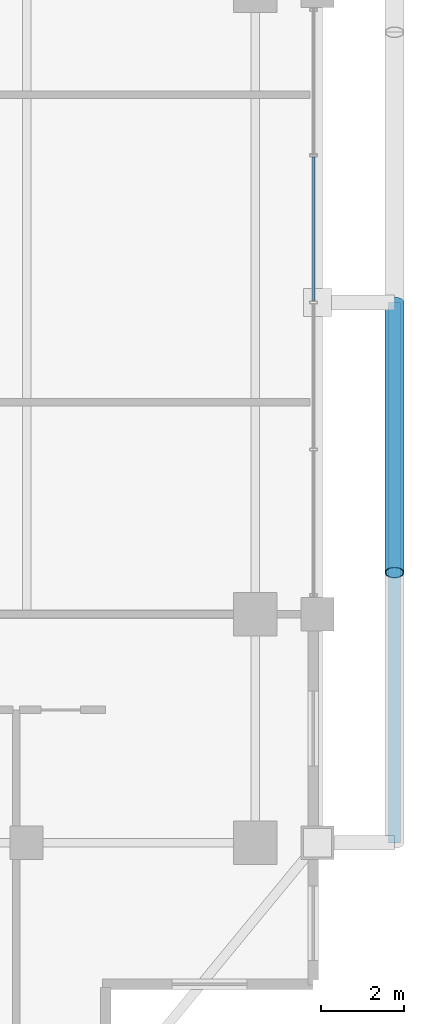
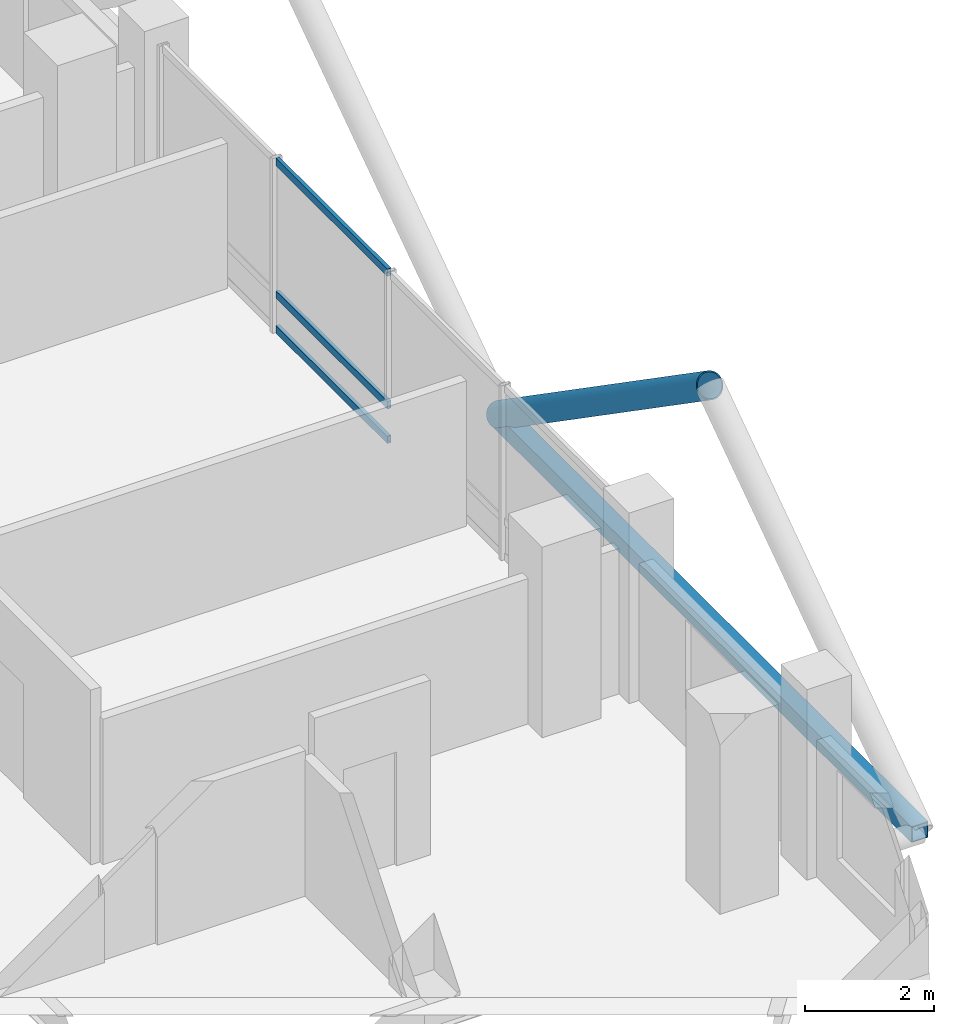
# One storey, part 12 of 25: 5 members, 1 element without a shape of its own.
"""IFC4 building model written with IfcOpenShell, lengths in metres."""

from ifc_helpers import new_model, si_unit, direction, frame, origin, origin_2d, place, context, subcontext, project, spatial, hollow_rectangle, hollow_circle, extrude, material, layer, layer_set, material_profile, profile_set, type_object, element, aggregate, save


model = new_model("IFC4")

# Units and contexts
model_context = context("Model", 3, precision=1e-05, world=origin(), true_north=direction((0.0, 1.0)))
body_context = subcontext(model_context, "Body", "Model", "MODEL_VIEW")
ifc_project = project(units=[si_unit("LENGTHUNIT", "METRE"), si_unit("AREAUNIT", "SQUARE_METRE"), si_unit("VOLUMEUNIT", "CUBIC_METRE"), si_unit("PLANEANGLEUNIT", "RADIAN"), si_unit("MASSUNIT", "GRAM", prefix="KILO")], contexts=[model_context])

# Site, building, storey
site_placement = place(None, origin())
site = spatial("IfcSite", under=ifc_project, at=site_placement, CompositionType="ELEMENT")
building_placement = place(site_placement, origin())
building = spatial("IfcBuilding", under=site, at=building_placement, Name="Barlavira Tower and Art Museum", CompositionType="ELEMENT")
storey_placement = place(building_placement, frame((0.0, 0.0, 208.800048828125)))
storey = spatial("IfcBuildingStorey", under=building, at=storey_placement, Name="L54", CompositionType="ELEMENT", Elevation=208.800048828125)

# Curtain wall, members
ifc_material_1 = material(Name="Low-iron coastal laminated glass", Category="glass")
ifc_layer = layer(ifc_material_1, 0.199951171875, Name="Low-iron coastal laminated glass")
ifc_layer_set = layer_set([ifc_layer], Name="Low-iron coastal laminated glass")
curtain_wall_type = type_object("IfcCurtainWallType", Name="Pale-Metal Unitised Curtain Wall Zone 3", PredefinedType="NOTDEFINED", material=ifc_layer_set)
curtain_wall_placement = place(storey_placement, origin())
curtain_wall = element("IfcCurtainWall", 1, at=curtain_wall_placement, inside=storey, type_object=curtain_wall_type, Name="L54 Curtain Wall CW3-L54-E-B3", PredefinedType="NOTDEFINED")
ifc_material_2 = material(Name="Pale anodised aluminium", Category="aluminium")
ifc_material_profile_1 = material_profile(ifc_material_2, hollow_rectangle(XDim=0.06494140625, YDim=0.139892578125, WallThickness=0.00390625, at=origin_2d()), Name="ALU-TRAN 65x140x4")
ifc_profile_set_1 = profile_set([ifc_material_profile_1], Name="Pale anodised aluminium")
member_type_1 = type_object("IfcMemberType", Name="Curtain Wall Pale-Metal Transom 65x140", PredefinedType="USERDEFINED", material=ifc_profile_set_1)
member_1_placement = place(storey_placement, frame((18.39990234375, 0.044921875, 0.070068359375), z_axis=(0.0, 1.0, 0.0), x_axis=(-1.0, 0.0, 0.0)))
member_1 = element("IfcMember", 2, at=member_1_placement, type_object=member_type_1, Name="CW3-L54-E-B3 Transom 2.1", ObjectType="TRANSOM", PredefinedType="USERDEFINED", context=body_context, shape_type="SweptSolid", body=[
    extrude(hollow_rectangle(XDim=0.06494140625, YDim=0.139892578125, WallThickness=0.00390625, at=origin_2d()), origin(), (0.0, 0.0, 1.0), 3.4501953125),
])
member_2_placement = place(storey_placement, frame((18.39990234375, 0.044921875, 0.725830078125), z_axis=(0.0, 1.0, 0.0), x_axis=(-1.0, 0.0, 0.0)))
member_2 = element("IfcMember", 3, at=member_2_placement, type_object=member_type_1, Name="CW3-L54-E-B3 Transom 2.2", ObjectType="TRANSOM", PredefinedType="USERDEFINED", context=body_context, shape_type="SweptSolid", body=[
    extrude(hollow_rectangle(XDim=0.06494140625, YDim=0.139892578125, WallThickness=0.00390625, at=origin_2d()), origin(), (0.0, 0.0, 1.0), 3.4501953125),
])
member_3_placement = place(storey_placement, frame((18.39990234375, 0.044921875, 3.22998046875), z_axis=(0.0, 1.0, 0.0), x_axis=(-1.0, 0.0, 0.0)))
member_3 = element("IfcMember", 4, at=member_3_placement, type_object=member_type_1, Name="CW3-L54-E-B3 Transom 2.3", ObjectType="TRANSOM", PredefinedType="USERDEFINED", context=body_context, shape_type="SweptSolid", body=[
    extrude(hollow_rectangle(XDim=0.06494140625, YDim=0.139892578125, WallThickness=0.00390625, at=origin_2d()), origin(), (0.0, 0.0, 1.0), 3.4501953125),
])
aggregate(curtain_wall, [member_1, member_2, member_3])

# Members
ifc_material_3 = material(Name="Steel S355", Category="steel")
ifc_material_profile_2 = material_profile(ifc_material_3, hollow_circle(Radius=0.228515625, WallThickness=0.02001953125, at=origin_2d()), Name="CHS 457.0x20.0")
ifc_profile_set_2 = profile_set([ifc_material_profile_2], Name="Steel S355")
member_type_2 = type_object("IfcMemberType", Name="Pale-Metal Exoskeleton Diagrid Tube CHS 457x20 Steel S355", PredefinedType="BRACE", material=ifc_profile_set_2)
member_4_placement = place(storey_placement, frame((20.35009765625, 0.0, -0.1201171875), z_axis=(0.0, -0.822192191644, 0.56920997883), x_axis=(1.0, 0.0, 0.0)))
element("IfcMember", 5, at=member_4_placement, inside=storey, type_object=member_type_2, Name="L54 Exoskeleton Diagrid Tube E", PredefinedType="BRACE", context=body_context, shape_type="SweptSolid", body=[
    extrude(hollow_circle(Radius=0.228515625, WallThickness=0.02001953125, at=origin_2d()), origin(), (0.0, 0.0, 1.0), 7.90576171875),
])
ifc_material_profile_3 = material_profile(ifc_material_3, hollow_rectangle(XDim=0.300048828125, YDim=0.300048828125, WallThickness=0.01611328125, at=origin_2d()), Name="SHS 300x300x16.0")
ifc_profile_set_3 = profile_set([ifc_material_profile_3], Name="Steel S355")
member_type_3 = type_object("IfcMemberType", Name="Pale-Metal Upper Ring Strut SHS 300x300x16 Steel S355", PredefinedType="STRUT", material=ifc_profile_set_3)
member_5_placement = place(storey_placement, frame((20.35009765625, -13.0, -0.1201171875), z_axis=(0.0, 1.0, 0.0), x_axis=(-1.0, 0.0, 0.0)))
element("IfcMember", 6, at=member_5_placement, inside=storey, type_object=member_type_3, Name="L54 Exoskeleton Ring Strut E", PredefinedType="STRUT", context=body_context, shape_type="SweptSolid", body=[
    extrude(hollow_rectangle(XDim=0.300048828125, YDim=0.300048828125, WallThickness=0.01611328125, at=origin_2d()), origin(), (0.0, 0.0, 1.0), 13.0),
])

save(model, "model.ifc")
